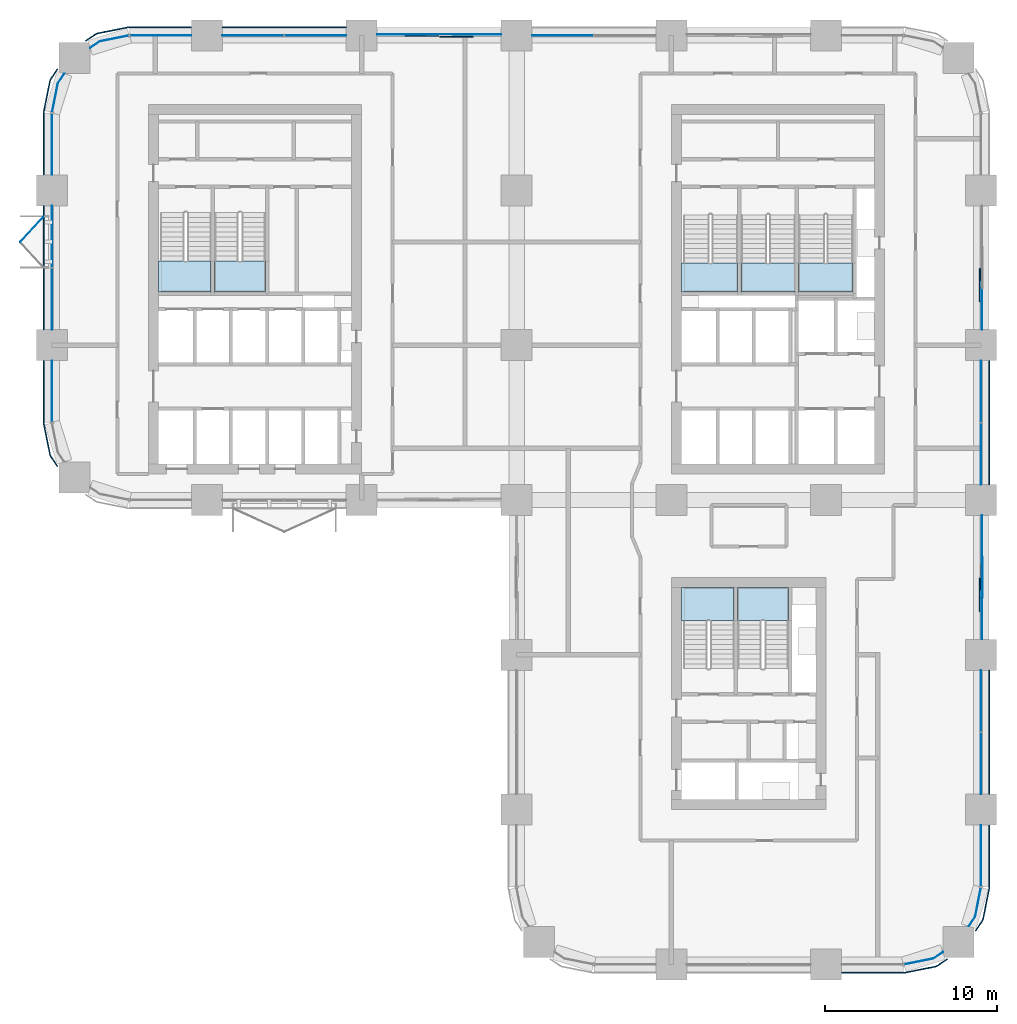
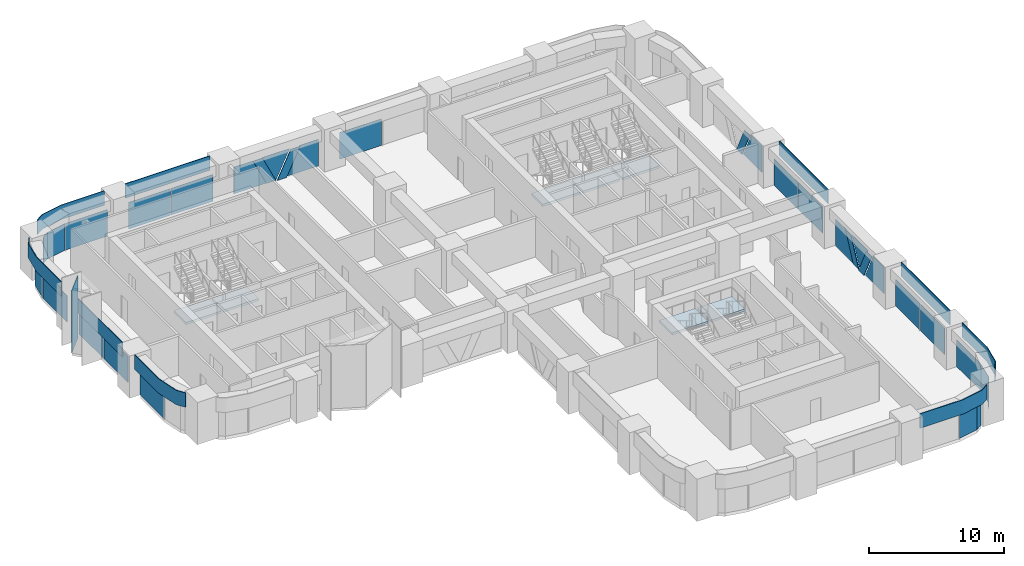
# One storey, part 10 of 18: 39 plates, 7 slabs, 20 elements without a shape of their own.
"""IFC4 building model written with IfcOpenShell, lengths in metres."""

from ifc_helpers import new_model, si_unit, direction, frame, origin, origin_2d, place, context, subcontext, project, spatial, polyline, rectangle, outline, extrude, material, layer, layer_set, type_object, element, aggregate, save


model = new_model("IFC4")

# Units and contexts
model_context = context("Model", 3, precision=1e-05, world=origin(), true_north=direction((0.0, 1.0)))
body_context = subcontext(model_context, "Body", "Model", "MODEL_VIEW")
ifc_project = project(units=[si_unit("LENGTHUNIT", "METRE"), si_unit("AREAUNIT", "SQUARE_METRE"), si_unit("VOLUMEUNIT", "CUBIC_METRE"), si_unit("PLANEANGLEUNIT", "RADIAN"), si_unit("MASSUNIT", "GRAM", prefix="KILO")], contexts=[model_context])

# Site, building, storey
site_placement = place(None, origin())
site = spatial("IfcSite", under=ifc_project, at=site_placement, CompositionType="ELEMENT")
building_placement = place(site_placement, origin())
building = spatial("IfcBuilding", under=site, at=building_placement, Name="Tessera Arch", CompositionType="ELEMENT")
storey_placement = place(building_placement, frame((0.0, 0.0, 115.800048828125)))
storey = spatial("IfcBuildingStorey", under=building, at=storey_placement, Name="L27", CompositionType="ELEMENT", Elevation=115.800048828125)

# Curtain wall, plate
ifc_material_1 = material(Name="CW1 curtain wall")
curtain_wall_type_1 = type_object("IfcCurtainWallType", Name="CW1 curtain wall", PredefinedType="NOTDEFINED", material=ifc_material_1)
curtain_wall_1_placement = place(storey_placement, origin())
curtain_wall_1 = element("IfcCurtainWall", 1, at=curtain_wall_1_placement, inside=storey, type_object=curtain_wall_type_1, Name="CW1 curtain wall N54.0/1 L27", PredefinedType="NOTDEFINED")
ifc_material_2 = material(Name="Clear low-e glass", Category="glass")
ifc_material_3 = material(Name="Clear low-e glass", Category="glass")
ifc_layer_1 = layer(ifc_material_3, 0.028076171875)
ifc_layer_set_1 = layer_set([ifc_layer_1], Name="CW1 glass panel")
plate_type_1 = type_object("IfcPlateType", Name="CW1 glass panel", PredefinedType="CURTAIN_PANEL", material=ifc_layer_set_1)
plate_1_placement = place(storey_placement, frame((29.68505859375, 54.0, 0.0), z_axis=(0.0, 0.0, 1.0), x_axis=(-1.0, 0.0, 0.0)))
plate_1 = element("IfcPlate", 2, at=plate_1_placement, type_object=plate_type_1, material=ifc_material_2, Name="CW1 glass panel N54.0/1 1.2.1", PredefinedType="CURTAIN_PANEL", context=body_context, shape_type="SweptSolid", body=[
    extrude(rectangle(XDim=3.570068359375, YDim=0.028076171875, at=origin_2d()), origin(), (0.0, 0.0, 1.0), 2.39990234375),
])
aggregate(curtain_wall_1, [plate_1])

# Curtain wall, plates
curtain_wall_2_placement = place(storey_placement, origin())
curtain_wall_2 = element("IfcCurtainWall", 3, at=curtain_wall_2_placement, inside=storey, type_object=curtain_wall_type_1, Name="CW1 curtain wall N54.0/3 L27", PredefinedType="NOTDEFINED")
plate_2_placement = place(storey_placement, frame((15.31494140625, 54.0, 0.0), z_axis=(0.0, 0.0, 1.0), x_axis=(-1.0, 0.0, 0.0)))
plate_2 = element("IfcPlate", 4, at=plate_2_placement, type_object=plate_type_1, material=ifc_material_2, Name="CW1 glass panel N54.0/3 1.1.1", PredefinedType="CURTAIN_PANEL", context=body_context, shape_type="SweptSolid", body=[
    extrude(rectangle(XDim=3.570068359375, YDim=0.028076171875, at=origin_2d()), origin(), (0.0, 0.0, 1.0), 2.39990234375),
])
plate_3_placement = place(storey_placement, frame((11.68505859375, 54.0, 0.0), z_axis=(0.0, 0.0, 1.0), x_axis=(-1.0, 0.0, 0.0)))
plate_3 = element("IfcPlate", 5, at=plate_3_placement, type_object=plate_type_1, material=ifc_material_2, Name="CW1 glass panel N54.0/3 1.2.1", PredefinedType="CURTAIN_PANEL", context=body_context, shape_type="SweptSolid", body=[
    extrude(rectangle(XDim=3.570068359375, YDim=0.028076171875, at=origin_2d()), origin(), (0.0, 0.0, 1.0), 2.39990234375),
])

curtain_wall_3_placement = place(storey_placement, origin())
curtain_wall_3 = element("IfcCurtainWall", 6, at=curtain_wall_3_placement, inside=storey, type_object=curtain_wall_type_1, Name="CW1 curtain wall W0.27/1 L27", PredefinedType="NOTDEFINED")
plate_4_placement = place(storey_placement, frame((0.0, 42.31494140625, 0.0), z_axis=(0.0, 0.0, 1.0), x_axis=(0.0, -1.0, 0.0)))
plate_4 = element("IfcPlate", 7, at=plate_4_placement, type_object=plate_type_1, material=ifc_material_2, Name="CW1 glass panel W0.27/1 1.1.1", PredefinedType="CURTAIN_PANEL", context=body_context, shape_type="SweptSolid", body=[
    extrude(rectangle(XDim=3.570068359375, YDim=0.028076171875, at=origin_2d()), origin(), (0.0, 0.0, 1.0), 2.39990234375),
])
plate_5_placement = place(storey_placement, frame((0.0, 38.68505859375, 0.0), z_axis=(0.0, 0.0, 1.0), x_axis=(0.0, -1.0, 0.0)))
plate_5 = element("IfcPlate", 8, at=plate_5_placement, type_object=plate_type_1, material=ifc_material_2, Name="CW1 glass panel W0.27/1 1.2.1", PredefinedType="CURTAIN_PANEL", context=body_context, shape_type="SweptSolid", body=[
    extrude(rectangle(XDim=3.570068359375, YDim=0.028076171875, at=origin_2d()), origin(), (0.0, 0.0, 1.0), 2.39990234375),
])

curtain_wall_4_placement = place(storey_placement, origin())
curtain_wall_4 = element("IfcCurtainWall", 9, at=curtain_wall_4_placement, inside=storey, type_object=curtain_wall_type_1, Name="CW1 curtain wall E54.0/1 L27", PredefinedType="NOTDEFINED")
plate_6_placement = place(storey_placement, frame((54.0, 11.68505859375, 0.0), z_axis=(0.0, 0.0, 1.0), x_axis=(0.0, 1.0, 0.0)))
plate_6 = element("IfcPlate", 10, at=plate_6_placement, type_object=plate_type_1, material=ifc_material_2, Name="CW1 glass panel E54.0/1 1.1.1", PredefinedType="CURTAIN_PANEL", context=body_context, shape_type="SweptSolid", body=[
    extrude(rectangle(XDim=3.570068359375, YDim=0.028076171875, at=origin_2d()), origin(), (0.0, 0.0, 1.0), 2.39990234375),
])
plate_7_placement = place(storey_placement, frame((54.0, 15.31494140625, 0.0), z_axis=(0.0, 0.0, 1.0), x_axis=(0.0, 1.0, 0.0)))
plate_7 = element("IfcPlate", 11, at=plate_7_placement, type_object=plate_type_1, material=ifc_material_2, Name="CW1 glass panel E54.0/1 1.2.1", PredefinedType="CURTAIN_PANEL", context=body_context, shape_type="SweptSolid", body=[
    extrude(rectangle(XDim=3.570068359375, YDim=0.028076171875, at=origin_2d()), origin(), (0.0, 0.0, 1.0), 2.39990234375),
])

curtain_wall_5_placement = place(storey_placement, origin())
curtain_wall_5 = element("IfcCurtainWall", 12, at=curtain_wall_5_placement, inside=storey, type_object=curtain_wall_type_1, Name="CW1 curtain wall E54.0/3 L27", PredefinedType="NOTDEFINED")
plate_8_placement = place(storey_placement, frame((54.0, 29.68505859375, 0.0), z_axis=(0.0, 0.0, 1.0), x_axis=(0.0, 1.0, 0.0)))
plate_8 = element("IfcPlate", 13, at=plate_8_placement, type_object=plate_type_1, material=ifc_material_2, Name="CW1 glass panel E54.0/3 1.1.1", PredefinedType="CURTAIN_PANEL", context=body_context, shape_type="SweptSolid", body=[
    extrude(rectangle(XDim=3.570068359375, YDim=0.028076171875, at=origin_2d()), origin(), (0.0, 0.0, 1.0), 2.39990234375),
])
plate_9_placement = place(storey_placement, frame((54.0, 33.31494140625, 0.0), z_axis=(0.0, 0.0, 1.0), x_axis=(0.0, 1.0, 0.0)))
plate_9 = element("IfcPlate", 14, at=plate_9_placement, type_object=plate_type_1, material=ifc_material_2, Name="CW1 glass panel E54.0/3 1.2.1", PredefinedType="CURTAIN_PANEL", context=body_context, shape_type="SweptSolid", body=[
    extrude(rectangle(XDim=3.570068359375, YDim=0.028076171875, at=origin_2d()), origin(), (0.0, 0.0, 1.0), 2.39990234375),
])

# Plate
ifc_material_4 = material(Name="Pale anodised aluminium panel", Category="aluminium")
ifc_layer_2 = layer(ifc_material_4, 0.06005859375)
ifc_layer_set_2 = layer_set([ifc_layer_2], Name="CW1 spandrel panel")
plate_type_2 = type_object("IfcPlateType", Name="CW1 spandrel panel", PredefinedType="CURTAIN_PANEL", material=ifc_layer_set_2)
plate_10_placement = place(storey_placement, frame((13.5, 54.47998046875, 2.5), z_axis=(0.0, 0.0, 1.0), x_axis=(-1.0, 0.0, 0.0)))
plate_10 = element("IfcPlate", 15, at=plate_10_placement, type_object=plate_type_2, Name="CW1 spandrel panel N54.0/3", PredefinedType="CURTAIN_PANEL", context=body_context, shape_type="SweptSolid", body=[
    extrude(rectangle(XDim=7.199951171875, YDim=0.06005859375, at=origin_2d()), origin(), (0.0, 0.0, 1.0), 1.300048828125),
])

aggregate(curtain_wall_2, [plate_2, plate_3, plate_10])

plate_11_placement = place(storey_placement, frame((-0.47998046875, 40.5, 2.5), z_axis=(0.0, 0.0, 1.0), x_axis=(0.0, -1.0, 0.0)))
plate_11 = element("IfcPlate", 16, at=plate_11_placement, type_object=plate_type_2, Name="CW1 spandrel panel W0.27/1", PredefinedType="CURTAIN_PANEL", context=body_context, shape_type="SweptSolid", body=[
    extrude(rectangle(XDim=7.199951171875, YDim=0.06005859375, at=origin_2d()), origin(), (0.0, 0.0, 1.0), 1.300048828125),
])

aggregate(curtain_wall_3, [plate_4, plate_5, plate_11])

plate_12_placement = place(storey_placement, frame((54.47998046875, 13.5, 2.5), z_axis=(0.0, 0.0, 1.0), x_axis=(0.0, 1.0, 0.0)))
plate_12 = element("IfcPlate", 17, at=plate_12_placement, type_object=plate_type_2, Name="CW1 spandrel panel E54.0/1", PredefinedType="CURTAIN_PANEL", context=body_context, shape_type="SweptSolid", body=[
    extrude(rectangle(XDim=7.199951171875, YDim=0.06005859375, at=origin_2d()), origin(), (0.0, 0.0, 1.0), 1.300048828125),
])

aggregate(curtain_wall_4, [plate_6, plate_7, plate_12])

plate_13_placement = place(storey_placement, frame((54.47998046875, 31.5, 2.5), z_axis=(0.0, 0.0, 1.0), x_axis=(0.0, 1.0, 0.0)))
plate_13 = element("IfcPlate", 18, at=plate_13_placement, type_object=plate_type_2, Name="CW1 spandrel panel E54.0/3", PredefinedType="CURTAIN_PANEL", context=body_context, shape_type="SweptSolid", body=[
    extrude(rectangle(XDim=7.199951171875, YDim=0.06005859375, at=origin_2d()), origin(), (0.0, 0.0, 1.0), 1.300048828125),
])

aggregate(curtain_wall_5, [plate_8, plate_9, plate_13])

# Curtain wall, plates
ifc_material_5 = material(Name="CW2 curtain wall")
curtain_wall_type_2 = type_object("IfcCurtainWallType", Name="CW2 curtain wall", PredefinedType="NOTDEFINED", material=ifc_material_5)
curtain_wall_6_placement = place(storey_placement, origin())
curtain_wall_6 = element("IfcCurtainWall", 19, at=curtain_wall_6_placement, inside=storey, type_object=curtain_wall_type_2, Name="CW2 curtain wall N54.0/4 L27", PredefinedType="NOTDEFINED")
ifc_material_6 = material(Name="Clear low-e glass", Category="glass")
ifc_layer_3 = layer(ifc_material_6, 0.028076171875)
ifc_layer_set_3 = layer_set([ifc_layer_3], Name="CW2 glass panel")
plate_type_3 = type_object("IfcPlateType", Name="CW2 glass panel", PredefinedType="CURTAIN_PANEL", material=ifc_layer_set_3)
plate_14_placement = place(storey_placement, frame((6.320068359375, 54.0, 0.0), z_axis=(0.0, 0.0, 1.0), x_axis=(-1.0, 0.0, 0.0)))
plate_14 = element("IfcPlate", 20, at=plate_14_placement, type_object=plate_type_3, material=ifc_material_2, Name="CW2 glass panel N54.0/4 1.1", PredefinedType="CURTAIN_PANEL", context=body_context, shape_type="SweptSolid", body=[
    extrude(rectangle(XDim=3.56005859375, YDim=0.028076171875, at=origin_2d()), origin(), (0.0, 0.0, 1.0), 2.39990234375),
])
plate_15_placement = place(storey_placement, origin())
plate_15 = element("IfcPlate", 21, at=plate_15_placement, type_object=plate_type_3, material=ifc_material_2, Name="CW2 curved glass panel N54.0/4 2.1", PredefinedType="CURTAIN_PANEL", context=body_context, shape_type="SweptSolid", body=[
    extrude(outline(polyline([(2.783447265625, 53.644287109375), (4.46337890625, 53.978515625), (4.4580078125, 54.005859375), (2.7724609375, 53.670654296875), (2.210205078125, 53.294921875), (2.225830078125, 53.271728515625), (2.783447265625, 53.644287109375)])), origin(), (0.0, 0.0, 1.0), 2.39990234375),
])

curtain_wall_7_placement = place(storey_placement, origin())
curtain_wall_7 = element("IfcCurtainWall", 22, at=curtain_wall_7_placement, inside=storey, type_object=curtain_wall_type_2, Name="CW2 curtain wall W0.27/0 L27", PredefinedType="NOTDEFINED")
plate_16_placement = place(storey_placement, frame((0.0, 47.679931640625, 0.0), z_axis=(0.0, 0.0, 1.0), x_axis=(0.0, -1.0, 0.0)))
plate_16 = element("IfcPlate", 23, at=plate_16_placement, type_object=plate_type_3, material=ifc_material_2, Name="CW2 glass panel W0.27/0 1.1", PredefinedType="CURTAIN_PANEL", context=body_context, shape_type="SweptSolid", body=[
    extrude(rectangle(XDim=3.56005859375, YDim=0.028076171875, at=origin_2d()), origin(), (0.0, 0.0, 1.0), 2.39990234375),
])
plate_17_placement = place(storey_placement, origin())
plate_17 = element("IfcPlate", 24, at=plate_17_placement, type_object=plate_type_3, material=ifc_material_2, Name="CW2 curved glass panel W0.27/0 2.1", PredefinedType="CURTAIN_PANEL", context=body_context, shape_type="SweptSolid", body=[
    extrude(outline(polyline([(0.355712890625, 51.216552734375), (0.728271484375, 51.774169921875), (0.705078125, 51.789794921875), (0.329345703125, 51.2275390625), (-0.005859375, 49.5419921875), (0.021484375, 49.53662109375), (0.355712890625, 51.216552734375)])), origin(), (0.0, 0.0, 1.0), 2.39990234375),
])

# Curtain wall, plate
curtain_wall_8_placement = place(storey_placement, origin())
curtain_wall_8 = element("IfcCurtainWall", 25, at=curtain_wall_8_placement, inside=storey, type_object=curtain_wall_type_2, Name="CW2 curtain wall W0.27/2 L27", PredefinedType="NOTDEFINED")
plate_18_placement = place(storey_placement, frame((0.0, 33.320068359375, 0.0), z_axis=(0.0, 0.0, 1.0), x_axis=(0.0, -1.0, 0.0)))
plate_18 = element("IfcPlate", 26, at=plate_18_placement, type_object=plate_type_3, material=ifc_material_2, Name="CW2 glass panel W0.27/2 1.1", PredefinedType="CURTAIN_PANEL", context=body_context, shape_type="SweptSolid", body=[
    extrude(rectangle(XDim=3.56005859375, YDim=0.028076171875, at=origin_2d()), origin(), (0.0, 0.0, 1.0), 2.39990234375),
])

curtain_wall_9_placement = place(storey_placement, origin())
curtain_wall_9 = element("IfcCurtainWall", 27, at=curtain_wall_9_placement, inside=storey, type_object=curtain_wall_type_2, Name="CW2 curtain wall S0.27/2 L27", PredefinedType="NOTDEFINED")
plate_19_placement = place(storey_placement, origin())
plate_19 = element("IfcPlate", 28, at=plate_19_placement, type_object=plate_type_3, material=ifc_material_2, Name="CW2 curved glass panel S0.27/2 2.1", PredefinedType="CURTAIN_PANEL", context=body_context, shape_type="SweptSolid", body=[
    extrude(outline(polyline([(51.216552734375, 0.355712890625), (49.53662109375, 0.021484375), (49.5419921875, -0.005859375), (51.2275390625, 0.329345703125), (51.789794921875, 0.705078125), (51.774169921875, 0.728271484375), (51.216552734375, 0.355712890625)])), origin(), (0.0, 0.0, 1.0), 2.39990234375),
])

# Curtain wall, plates
curtain_wall_10_placement = place(storey_placement, origin())
curtain_wall_10 = element("IfcCurtainWall", 29, at=curtain_wall_10_placement, inside=storey, type_object=curtain_wall_type_2, Name="CW2 curtain wall E54.0/0 L27", PredefinedType="NOTDEFINED")
plate_20_placement = place(storey_placement, frame((54.0, 6.320068359375, 0.0), z_axis=(0.0, 0.0, 1.0), x_axis=(0.0, 1.0, 0.0)))
plate_20 = element("IfcPlate", 30, at=plate_20_placement, type_object=plate_type_3, material=ifc_material_2, Name="CW2 glass panel E54.0/0 1.1", PredefinedType="CURTAIN_PANEL", context=body_context, shape_type="SweptSolid", body=[
    extrude(rectangle(XDim=3.56005859375, YDim=0.028076171875, at=origin_2d()), origin(), (0.0, 0.0, 1.0), 2.39990234375),
])
plate_21_placement = place(storey_placement, origin())
plate_21 = element("IfcPlate", 31, at=plate_21_placement, type_object=plate_type_3, material=ifc_material_2, Name="CW2 curved glass panel E54.0/0 2.1", PredefinedType="CURTAIN_PANEL", context=body_context, shape_type="SweptSolid", body=[
    extrude(outline(polyline([(53.644287109375, 2.783447265625), (53.271728515625, 2.225830078125), (53.294921875, 2.210205078125), (53.670654296875, 2.7724609375), (54.005859375, 4.4580078125), (53.978515625, 4.46337890625), (53.644287109375, 2.783447265625)])), origin(), (0.0, 0.0, 1.0), 2.39990234375),
])

# Plate
ifc_material_7 = material(Name="Pale anodised aluminium panel", Category="aluminium")
ifc_layer_4 = layer(ifc_material_7, 0.06005859375)
ifc_layer_set_4 = layer_set([ifc_layer_4], Name="CW2 spandrel panel")
plate_type_4 = type_object("IfcPlateType", Name="CW2 spandrel panel", PredefinedType="CURTAIN_PANEL", material=ifc_layer_set_4)
plate_22_placement = place(storey_placement, frame((0.0, 0.0, 2.5)))
plate_22 = element("IfcPlate", 32, at=plate_22_placement, type_object=plate_type_4, Name="CW2 spandrel panel N54.0/4", PredefinedType="CURTAIN_PANEL", context=body_context, shape_type="SweptSolid", body=[
    extrude(outline(polyline([(4.500732421875, 54.449951171875), (8.10009765625, 54.449951171875), (8.10009765625, 54.510009765625), (4.499267578125, 54.510009765625), (4.449951171875, 54.507568359375), (4.401123046875, 54.500244140625), (2.677734375, 54.157470703125), (2.6298828125, 54.1455078125), (2.582763671875, 54.128662109375), (2.537353515625, 54.107177734375), (2.4951171875, 54.08203125), (1.9345703125, 53.707275390625), (1.968017578125, 53.657470703125), (2.52734375, 54.03125), (2.565673828125, 54.05419921875), (2.605712890625, 54.0732421875), (2.647216796875, 54.088134765625), (2.69091796875, 54.09912109375), (4.411376953125, 54.441162109375), (4.455810546875, 54.44775390625), (4.500732421875, 54.449951171875)])), origin(), (0.0, 0.0, 1.0), 1.300048828125),
])

aggregate(curtain_wall_6, [plate_14, plate_15, plate_22])

plate_23_placement = place(storey_placement, frame((0.0, 0.0, 2.5)))
plate_23 = element("IfcPlate", 33, at=plate_23_placement, type_object=plate_type_4, Name="CW2 spandrel panel W0.27/0", PredefinedType="CURTAIN_PANEL", context=body_context, shape_type="SweptSolid", body=[
    extrude(outline(polyline([(-0.03125, 51.47265625), (0.342529296875, 52.031982421875), (0.292724609375, 52.0654296875), (-0.08203125, 51.5048828125), (-0.107177734375, 51.462646484375), (-0.128662109375, 51.417236328125), (-0.1455078125, 51.3701171875), (-0.157470703125, 51.322265625), (-0.500244140625, 49.598876953125), (-0.507568359375, 49.550048828125), (-0.510009765625, 49.500732421875), (-0.510009765625, 45.89990234375), (-0.449951171875, 45.89990234375), (-0.449951171875, 49.499267578125), (-0.44775390625, 49.544189453125), (-0.441162109375, 49.588623046875), (-0.09912109375, 51.30908203125), (-0.088134765625, 51.352783203125), (-0.0732421875, 51.394287109375), (-0.05419921875, 51.434326171875), (-0.03125, 51.47265625)])), origin(), (0.0, 0.0, 1.0), 1.300048828125),
])

aggregate(curtain_wall_7, [plate_16, plate_17, plate_23])

plate_24_placement = place(storey_placement, frame((0.0, 0.0, 2.5)))
plate_24 = element("IfcPlate", 34, at=plate_24_placement, type_object=plate_type_4, Name="CW2 spandrel panel W0.27/2", PredefinedType="CURTAIN_PANEL", context=body_context, shape_type="SweptSolid", body=[
    extrude(outline(polyline([(-0.449951171875, 31.500732421875), (-0.449951171875, 35.10009765625), (-0.510009765625, 35.10009765625), (-0.510009765625, 31.499267578125), (-0.507568359375, 31.449951171875), (-0.500244140625, 31.401123046875), (-0.157470703125, 29.677734375), (-0.1455078125, 29.6298828125), (-0.128662109375, 29.582763671875), (-0.107177734375, 29.537353515625), (-0.08203125, 29.4951171875), (0.292724609375, 28.9345703125), (0.342529296875, 28.968017578125), (-0.03125, 29.52734375), (-0.05419921875, 29.565673828125), (-0.0732421875, 29.605712890625), (-0.088134765625, 29.647216796875), (-0.09912109375, 29.69091796875), (-0.441162109375, 31.411376953125), (-0.44775390625, 31.455810546875), (-0.449951171875, 31.500732421875)])), origin(), (0.0, 0.0, 1.0), 1.300048828125),
])

aggregate(curtain_wall_8, [plate_18, plate_24])

plate_25_placement = place(storey_placement, frame((0.0, 0.0, 2.5)))
plate_25 = element("IfcPlate", 35, at=plate_25_placement, type_object=plate_type_4, Name="CW2 spandrel panel S0.27/2", PredefinedType="CURTAIN_PANEL", context=body_context, shape_type="SweptSolid", body=[
    extrude(outline(polyline([(49.499267578125, -0.449951171875), (45.89990234375, -0.449951171875), (45.89990234375, -0.510009765625), (49.500732421875, -0.510009765625), (49.550048828125, -0.507568359375), (49.598876953125, -0.500244140625), (51.322265625, -0.157470703125), (51.3701171875, -0.1455078125), (51.417236328125, -0.128662109375), (51.462646484375, -0.107177734375), (51.5048828125, -0.08203125), (52.0654296875, 0.292724609375), (52.031982421875, 0.342529296875), (51.47265625, -0.03125), (51.434326171875, -0.05419921875), (51.394287109375, -0.0732421875), (51.352783203125, -0.088134765625), (51.30908203125, -0.09912109375), (49.588623046875, -0.441162109375), (49.544189453125, -0.44775390625), (49.499267578125, -0.449951171875)])), origin(), (0.0, 0.0, 1.0), 1.300048828125),
])

aggregate(curtain_wall_9, [plate_19, plate_25])

plate_26_placement = place(storey_placement, frame((0.0, 0.0, 2.5)))
plate_26 = element("IfcPlate", 36, at=plate_26_placement, type_object=plate_type_4, Name="CW2 spandrel panel E54.0/0", PredefinedType="CURTAIN_PANEL", context=body_context, shape_type="SweptSolid", body=[
    extrude(outline(polyline([(54.03125, 2.52734375), (53.657470703125, 1.968017578125), (53.707275390625, 1.9345703125), (54.08203125, 2.4951171875), (54.107177734375, 2.537353515625), (54.128662109375, 2.582763671875), (54.1455078125, 2.6298828125), (54.157470703125, 2.677734375), (54.500244140625, 4.401123046875), (54.507568359375, 4.449951171875), (54.510009765625, 4.499267578125), (54.510009765625, 8.10009765625), (54.449951171875, 8.10009765625), (54.449951171875, 4.500732421875), (54.44775390625, 4.455810546875), (54.441162109375, 4.411376953125), (54.09912109375, 2.69091796875), (54.088134765625, 2.647216796875), (54.0732421875, 2.605712890625), (54.05419921875, 2.565673828125), (54.03125, 2.52734375)])), origin(), (0.0, 0.0, 1.0), 1.300048828125),
])

aggregate(curtain_wall_10, [plate_20, plate_21, plate_26])

# Curtain wall, plates
ifc_material_8 = material(Name="CW3 curtain wall")
curtain_wall_type_3 = type_object("IfcCurtainWallType", Name="CW3 curtain wall", PredefinedType="NOTDEFINED", material=ifc_material_8)
curtain_wall_11_placement = place(storey_placement, origin())
curtain_wall_11 = element("IfcCurtainWall", 37, at=curtain_wall_11_placement, inside=storey, type_object=curtain_wall_type_3, Name="CW3 curtain wall N54.0/2 L27", PredefinedType="NOTDEFINED")
ifc_material_9 = material(Name="Pale anodised aluminium panel", Category="aluminium")
ifc_layer_5 = layer(ifc_material_9, 0.06005859375)
ifc_layer_set_5 = layer_set([ifc_layer_5], Name="CW3 diagonal panel")
plate_type_5 = type_object("IfcPlateType", Name="CW3 diagonal panel", PredefinedType="CURTAIN_PANEL", material=ifc_layer_set_5)
plate_27_placement = place(storey_placement, frame((20.515869140625, 54.030029296875, 2.39990234375), z_axis=(0.0, 1.0, 0.0), x_axis=(1.0, 0.0, 0.0)))
plate_27 = element("IfcPlate", 38, at=plate_27_placement, type_object=plate_type_5, Name="CW3 diagonal panel N54.0/2 1", PredefinedType="CURTAIN_PANEL", context=body_context, shape_type="SweptSolid", body=[
    extrude(outline(polyline([(0.0, 0.0), (0.80029296875, 0.0), (1.9521484375, 2.39990234375), (1.152099609375, 2.39990234375), (0.0, 0.0)])), origin(), (0.0, 0.0, -1.0), 0.06005859375),
])
plate_28_placement = place(storey_placement, frame((23.683837890625, 53.969970703125, 2.39990234375), z_axis=(0.0, 1.0, 0.0), x_axis=(1.0, 0.0, 0.0)))
plate_28 = element("IfcPlate", 39, at=plate_28_placement, type_object=plate_type_5, Name="CW3 diagonal panel N54.0/2 2", PredefinedType="CURTAIN_PANEL", context=body_context, shape_type="SweptSolid", body=[
    extrude(outline(polyline([(0.0, 0.0), (0.80029296875, 0.0), (-0.351806640625, 2.39990234375), (-1.15185546875, 2.39990234375), (0.0, 0.0)])), origin(), (0.0, 0.0, -1.0), 0.06005859375),
])

curtain_wall_12_placement = place(storey_placement, origin())
curtain_wall_12 = element("IfcCurtainWall", 40, at=curtain_wall_12_placement, inside=storey, type_object=curtain_wall_type_3, Name="CW3 curtain wall E54.0/2 L27", PredefinedType="NOTDEFINED")
plate_29_placement = place(storey_placement, frame((54.030029296875, 24.484130859375, 2.39990234375), z_axis=(1.0, 0.0, 0.0), x_axis=(0.0, -1.0, 0.0)))
plate_29 = element("IfcPlate", 41, at=plate_29_placement, type_object=plate_type_5, Name="CW3 diagonal panel E54.0/2 1", PredefinedType="CURTAIN_PANEL", context=body_context, shape_type="SweptSolid", body=[
    extrude(outline(polyline([(0.0, 0.0), (0.80029296875, 0.0), (1.9521484375, 2.39990234375), (1.152099609375, 2.39990234375), (0.0, 0.0)])), origin(), (0.0, 0.0, -1.0), 0.06005859375),
])
plate_30_placement = place(storey_placement, frame((53.969970703125, 21.316162109375, 2.39990234375), z_axis=(1.0, 0.0, 0.0), x_axis=(0.0, -1.0, 0.0)))
plate_30 = element("IfcPlate", 42, at=plate_30_placement, type_object=plate_type_5, Name="CW3 diagonal panel E54.0/2 2", PredefinedType="CURTAIN_PANEL", context=body_context, shape_type="SweptSolid", body=[
    extrude(outline(polyline([(0.0, 0.0), (0.80029296875, 0.0), (-0.351806640625, 2.39990234375), (-1.15185546875, 2.39990234375), (0.0, 0.0)])), origin(), (0.0, 0.0, -1.0), 0.06005859375),
])

# Curtain wall, plate
curtain_wall_13_placement = place(storey_placement, origin())
curtain_wall_13 = element("IfcCurtainWall", 43, at=curtain_wall_13_placement, inside=storey, type_object=curtain_wall_type_3, Name="CW3 curtain wall E54.0/4 L27", PredefinedType="NOTDEFINED")
plate_31_placement = place(storey_placement, frame((53.969970703125, 39.316162109375, 2.39990234375), z_axis=(1.0, 0.0, 0.0), x_axis=(0.0, -1.0, 0.0)))
plate_31 = element("IfcPlate", 44, at=plate_31_placement, type_object=plate_type_5, Name="CW3 diagonal panel E54.0/4 2", PredefinedType="CURTAIN_PANEL", context=body_context, shape_type="SweptSolid", body=[
    extrude(outline(polyline([(0.0, 0.0), (0.80029296875, 0.0), (-0.351806640625, 2.39990234375), (-1.15185546875, 2.39990234375), (0.0, 0.0)])), origin(), (0.0, 0.0, -1.0), 0.06005859375),
])

# Plate
ifc_material_10 = material(Name="Clear low-e glass", Category="glass")
ifc_layer_6 = layer(ifc_material_10, 0.028076171875)
ifc_layer_set_6 = layer_set([ifc_layer_6], Name="CW3 glass panel")
plate_type_6 = type_object("IfcPlateType", Name="CW3 glass panel", PredefinedType="CURTAIN_PANEL", material=ifc_layer_set_6)
plate_32_placement = place(storey_placement, frame((26.10009765625, 54.05810546875, 0.0), z_axis=(0.0, 1.0, 0.0), x_axis=(-1.0, 0.0, 0.0)))
plate_32 = element("IfcPlate", 45, at=plate_32_placement, type_object=plate_type_6, material=ifc_material_2, Name="CW3 triangulated glass panel N54.0/2 1", PredefinedType="CURTAIN_PANEL", context=body_context, shape_type="SweptSolid", body=[
    extrude(outline(polyline([(0.0, 0.0), (2.76806640625, 0.0), (1.615966796875, 2.39990234375), (0.0, 2.39990234375), (0.0, 0.0)])), origin(), (0.0, 0.0, -1.0), 0.028076171875),
])

plate_33_placement = place(storey_placement, frame((21.316162109375, 54.0859375, 2.39990234375), z_axis=(0.0, 1.0, 0.0), x_axis=(1.0, 0.0, 0.0)))
plate_33 = element("IfcPlate", 46, at=plate_33_placement, type_object=plate_type_6, material=ifc_material_2, Name="CW3 triangulated glass panel N54.0/2 2", PredefinedType="CURTAIN_PANEL", context=body_context, shape_type="SweptSolid", body=[
    extrude(outline(polyline([(0.0, 0.0), (2.36767578125, 0.0), (1.2158203125, 2.39990234375), (1.15185546875, 2.39990234375), (0.0, 0.0)])), origin(), (0.0, 0.0, -1.0), 0.028076171875),
])

plate_34_placement = place(storey_placement, frame((18.89990234375, 54.05810546875, 2.39990234375), z_axis=(0.0, 1.0, 0.0), x_axis=(1.0, 0.0, 0.0)))
plate_34 = element("IfcPlate", 47, at=plate_34_placement, type_object=plate_type_6, material=ifc_material_2, Name="CW3 triangulated glass panel N54.0/2 3", PredefinedType="CURTAIN_PANEL", context=body_context, shape_type="SweptSolid", body=[
    extrude(outline(polyline([(0.0, 0.0), (1.615966796875, 0.0), (2.76806640625, 2.39990234375), (0.0, 2.39990234375), (0.0, 0.0)])), origin(), (0.0, 0.0, -1.0), 0.028076171875),
])

aggregate(curtain_wall_11, [plate_32, plate_33, plate_34, plate_27, plate_28])

plate_35_placement = place(storey_placement, frame((54.05810546875, 18.89990234375, 0.0), z_axis=(1.0, 0.0, 0.0), x_axis=(0.0, 1.0, 0.0)))
plate_35 = element("IfcPlate", 48, at=plate_35_placement, type_object=plate_type_6, material=ifc_material_2, Name="CW3 triangulated glass panel E54.0/2 1", PredefinedType="CURTAIN_PANEL", context=body_context, shape_type="SweptSolid", body=[
    extrude(outline(polyline([(0.0, 0.0), (2.76806640625, 0.0), (1.615966796875, 2.39990234375), (0.0, 2.39990234375), (0.0, 0.0)])), origin(), (0.0, 0.0, -1.0), 0.028076171875),
])

plate_36_placement = place(storey_placement, frame((54.0859375, 23.683837890625, 2.39990234375), z_axis=(1.0, 0.0, 0.0), x_axis=(0.0, -1.0, 0.0)))
plate_36 = element("IfcPlate", 49, at=plate_36_placement, type_object=plate_type_6, material=ifc_material_2, Name="CW3 triangulated glass panel E54.0/2 2", PredefinedType="CURTAIN_PANEL", context=body_context, shape_type="SweptSolid", body=[
    extrude(outline(polyline([(0.0, 0.0), (2.36767578125, 0.0), (1.2158203125, 2.39990234375), (1.15185546875, 2.39990234375), (0.0, 0.0)])), origin(), (0.0, 0.0, -1.0), 0.028076171875),
])

plate_37_placement = place(storey_placement, frame((54.05810546875, 26.10009765625, 2.39990234375), z_axis=(1.0, 0.0, 0.0), x_axis=(0.0, -1.0, 0.0)))
plate_37 = element("IfcPlate", 50, at=plate_37_placement, type_object=plate_type_6, material=ifc_material_2, Name="CW3 triangulated glass panel E54.0/2 3", PredefinedType="CURTAIN_PANEL", context=body_context, shape_type="SweptSolid", body=[
    extrude(outline(polyline([(0.0, 0.0), (1.615966796875, 0.0), (2.76806640625, 2.39990234375), (0.0, 2.39990234375), (0.0, 0.0)])), origin(), (0.0, 0.0, -1.0), 0.028076171875),
])

aggregate(curtain_wall_12, [plate_35, plate_36, plate_37, plate_29, plate_30])

plate_38_placement = place(storey_placement, frame((54.05810546875, 36.89990234375, 0.0), z_axis=(1.0, 0.0, 0.0), x_axis=(0.0, 1.0, 0.0)))
plate_38 = element("IfcPlate", 51, at=plate_38_placement, type_object=plate_type_6, material=ifc_material_2, Name="CW3 triangulated glass panel E54.0/4 1", PredefinedType="CURTAIN_PANEL", context=body_context, shape_type="SweptSolid", body=[
    extrude(outline(polyline([(0.0, 0.0), (2.76806640625, 0.0), (1.615966796875, 2.39990234375), (0.0, 2.39990234375), (0.0, 0.0)])), origin(), (0.0, 0.0, -1.0), 0.028076171875),
])

aggregate(curtain_wall_13, [plate_38, plate_31])

# Stair, slab
ifc_material_11 = material(Name="Concrete C40/50", Category="concrete")
stair_type_1 = type_object("IfcStairType", Name="Dogleg stair 1520", PredefinedType="HALF_TURN_STAIR", material=ifc_material_11)
stair_1_placement = place(storey_placement, origin())
stair_1 = element("IfcStair", 52, at=stair_1_placement, inside=storey, type_object=stair_type_1, Name="L27 S1a", PredefinedType="HALF_TURN_STAIR")
ifc_material_12 = material(Name="Concrete C40/50", Category="concrete")
ifc_layer_7 = layer(ifc_material_12, 0.300048828125)
ifc_layer_set_7 = layer_set([ifc_layer_7], Name="Stair landing 300")
slab_type = type_object("IfcSlabType", Name="Stair landing 300", PredefinedType="LANDING", material=ifc_layer_set_7)
slab_1_placement = place(storey_placement, frame((0.0, 0.0, 1.699951171875)))
slab_1 = element("IfcSlab", 53, at=slab_1_placement, type_object=slab_type, Name="S1a landing 1", PredefinedType="LANDING", context=body_context, shape_type="SweptSolid", body=[
    extrude(outline(polyline([(36.60009765625, 40.780029296875), (36.60009765625, 39.10009765625), (39.85009765625, 39.10009765625), (39.85009765625, 40.780029296875), (36.60009765625, 40.780029296875)])), origin(), (0.0, 0.0, 1.0), 0.199951171875),
])
aggregate(stair_1, [slab_1])

stair_2_placement = place(storey_placement, origin())
stair_2 = element("IfcStair", 54, at=stair_2_placement, inside=storey, type_object=stair_type_1, Name="L27 S1b", PredefinedType="HALF_TURN_STAIR")
slab_2_placement = place(storey_placement, frame((0.0, 0.0, 1.699951171875)))
slab_2 = element("IfcSlab", 55, at=slab_2_placement, type_object=slab_type, Name="S1b landing 1", PredefinedType="LANDING", context=body_context, shape_type="SweptSolid", body=[
    extrude(outline(polyline([(40.050048828125, 40.780029296875), (40.050048828125, 39.10009765625), (43.199951171875, 39.10009765625), (43.199951171875, 40.780029296875), (40.050048828125, 40.780029296875)])), origin(), (0.0, 0.0, 1.0), 0.199951171875),
])
aggregate(stair_2, [slab_2])

stair_3_placement = place(storey_placement, origin())
stair_3 = element("IfcStair", 56, at=stair_3_placement, inside=storey, type_object=stair_type_1, Name="L27 S1c", PredefinedType="HALF_TURN_STAIR")
slab_3_placement = place(storey_placement, frame((0.0, 0.0, 1.699951171875)))
slab_3 = element("IfcSlab", 57, at=slab_3_placement, type_object=slab_type, Name="S1c landing 1", PredefinedType="LANDING", context=body_context, shape_type="SweptSolid", body=[
    extrude(outline(polyline([(43.39990234375, 40.780029296875), (43.39990234375, 39.10009765625), (46.550048828125, 39.10009765625), (46.550048828125, 40.780029296875), (43.39990234375, 40.780029296875)])), origin(), (0.0, 0.0, 1.0), 0.199951171875),
])
aggregate(stair_3, [slab_3])

ifc_material_13 = material(Name="Concrete C40/50", Category="concrete")
stair_type_2 = type_object("IfcStairType", Name="Dogleg stair 1400", PredefinedType="HALF_TURN_STAIR", material=ifc_material_13)
stair_4_placement = place(storey_placement, origin())
stair_4 = element("IfcStair", 58, at=stair_4_placement, inside=storey, type_object=stair_type_2, Name="L27 S2a", PredefinedType="HALF_TURN_STAIR")
slab_4_placement = place(storey_placement, frame((0.0, 0.0, 1.699951171875)))
slab_4 = element("IfcSlab", 59, at=slab_4_placement, type_object=slab_type, Name="S2a landing 1", PredefinedType="LANDING", context=body_context, shape_type="SweptSolid", body=[
    extrude(outline(polyline([(6.199951171875, 40.89990234375), (6.199951171875, 39.10009765625), (9.25, 39.10009765625), (9.25, 40.89990234375), (6.199951171875, 40.89990234375)])), origin(), (0.0, 0.0, 1.0), 0.199951171875),
])
aggregate(stair_4, [slab_4])

stair_5_placement = place(storey_placement, origin())
stair_5 = element("IfcStair", 60, at=stair_5_placement, inside=storey, type_object=stair_type_2, Name="L27 S2b", PredefinedType="HALF_TURN_STAIR")
slab_5_placement = place(storey_placement, frame((0.0, 0.0, 1.699951171875)))
slab_5 = element("IfcSlab", 61, at=slab_5_placement, type_object=slab_type, Name="S2b landing 1", PredefinedType="LANDING", context=body_context, shape_type="SweptSolid", body=[
    extrude(outline(polyline([(9.449951171875, 40.89990234375), (9.449951171875, 39.10009765625), (12.39990234375, 39.10009765625), (12.39990234375, 40.89990234375), (9.449951171875, 40.89990234375)])), origin(), (0.0, 0.0, 1.0), 0.199951171875),
])
aggregate(stair_5, [slab_5])

stair_6_placement = place(storey_placement, origin())
stair_6 = element("IfcStair", 62, at=stair_6_placement, inside=storey, type_object=stair_type_2, Name="L27 S3a", PredefinedType="HALF_TURN_STAIR")
slab_6_placement = place(storey_placement, frame((0.0, 0.0, 1.699951171875)))
slab_6 = element("IfcSlab", 63, at=slab_6_placement, type_object=slab_type, Name="S3a landing 1", PredefinedType="LANDING", context=body_context, shape_type="SweptSolid", body=[
    extrude(outline(polyline([(39.64990234375, 20.0), (39.64990234375, 21.89990234375), (36.60009765625, 21.89990234375), (36.60009765625, 20.0), (39.64990234375, 20.0)])), origin(), (0.0, 0.0, 1.0), 0.199951171875),
])
aggregate(stair_6, [slab_6])

stair_7_placement = place(storey_placement, origin())
stair_7 = element("IfcStair", 64, at=stair_7_placement, inside=storey, type_object=stair_type_2, Name="L27 S3b", PredefinedType="HALF_TURN_STAIR")
slab_7_placement = place(storey_placement, frame((0.0, 0.0, 1.699951171875)))
slab_7 = element("IfcSlab", 65, at=slab_7_placement, type_object=slab_type, Name="S3b landing 1", PredefinedType="LANDING", context=body_context, shape_type="SweptSolid", body=[
    extrude(outline(polyline([(42.800048828125, 20.0), (42.800048828125, 21.89990234375), (39.85009765625, 21.89990234375), (39.85009765625, 20.0), (42.800048828125, 20.0)])), origin(), (0.0, 0.0, 1.0), 0.199951171875),
])
aggregate(stair_7, [slab_7])

# Plate
ifc_material_14 = material(Name="Clear low-e glass", Category="glass")
ifc_layer_8 = layer(ifc_material_14, 0.028076171875)
ifc_layer_set_8 = layer_set([ifc_layer_8], Name="Window box glass facet")
plate_type_7 = type_object("IfcPlateType", Name="Window box glass facet", PredefinedType="SHEET", material=ifc_layer_set_8)
plate_39_placement = place(storey_placement, frame((-1.179931640625, 42.72509765625, 0.22021484375), z_axis=(0.0, 0.0, 1.0), x_axis=(-0.678700720617, -0.734414958885, 0.0)))
element("IfcPlate", 66, at=plate_39_placement, inside=storey, type_object=plate_type_7, Name="Window box W0.27/1.0 1x2 glass", PredefinedType="SHEET", context=body_context, shape_type="SweptSolid", body=[
    extrude(rectangle(XDim=1.974365234375, YDim=0.028076171875, at=origin_2d()), origin(), (0.0, 0.0, 1.0), 5.659912109375),
])

save(model, "model.ifc")
